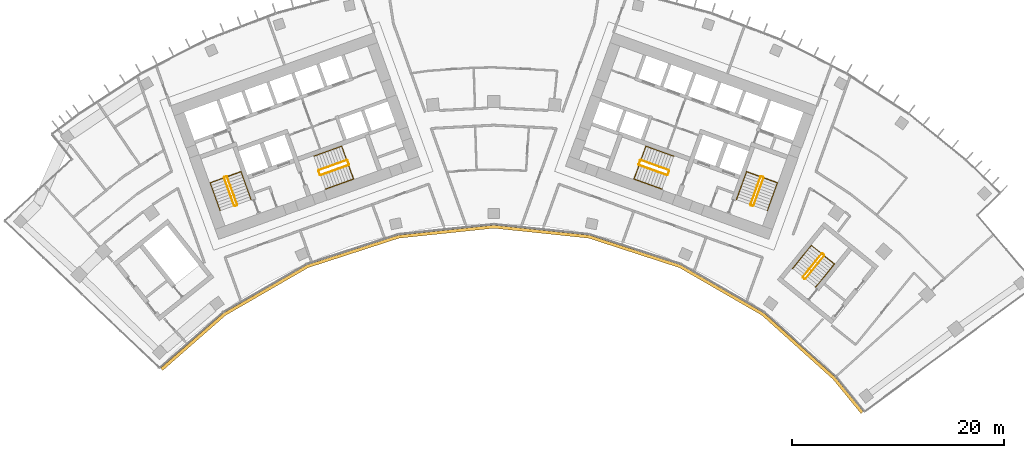
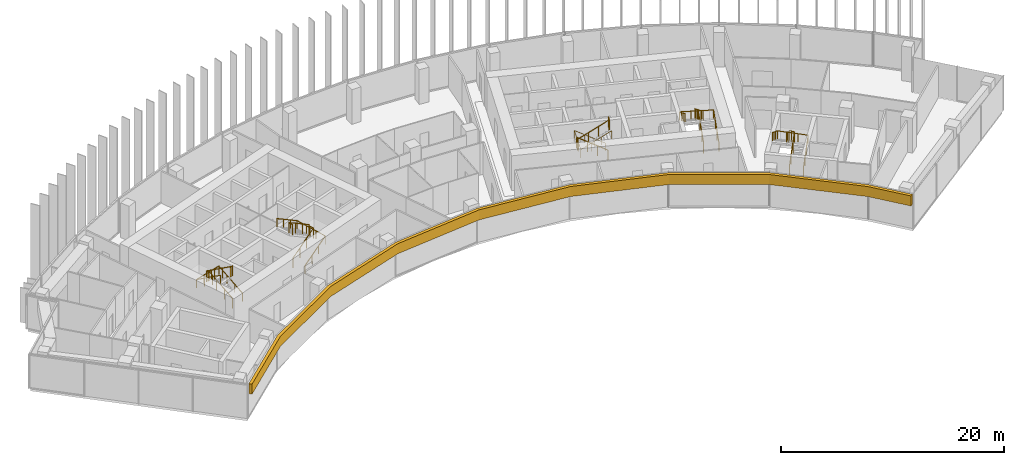
# One storey, part 20 of 20: 15 railings, 1 covering.
"""IFC4 building model written with IfcOpenShell, lengths in metres."""

from ifc_helpers import new_model, si_unit, direction, frame, origin, origin_2d, place, context, subcontext, project, spatial, polyline, circle, outline, extrude, material, layer, layer_set, type_object, element, save


model = new_model("IFC4")

# Units and contexts
model_context = context("Model", 3, precision=1e-05, world=origin(), true_north=direction((0.0, 1.0)))
body_context = subcontext(model_context, "Body", "Model", "MODEL_VIEW")
ifc_project = project(units=[si_unit("LENGTHUNIT", "METRE"), si_unit("AREAUNIT", "SQUARE_METRE"), si_unit("VOLUMEUNIT", "CUBIC_METRE"), si_unit("PLANEANGLEUNIT", "RADIAN"), si_unit("MASSUNIT", "GRAM", prefix="KILO")], contexts=[model_context])

# Site, building, storey
site_placement = place(None, origin())
site = spatial("IfcSite", under=ifc_project, at=site_placement, CompositionType="ELEMENT")
building_placement = place(site_placement, origin())
building = spatial("IfcBuilding", under=site, at=building_placement, Name="Stone Belt Terrace Tower", CompositionType="ELEMENT")
storey_placement = place(building_placement, frame((0.0, 0.0, 212.39990234375)))
storey = spatial("IfcBuildingStorey", under=building, at=storey_placement, Name="L51", CompositionType="ELEMENT", Elevation=212.39990234375)

# Railings
ifc_material_1 = material(Name="Structural steel C345", Category="steel")
railing_type_1 = type_object("IfcRailingType", Name="Stair guard 1100", PredefinedType="GUARDRAIL", material=ifc_material_1)
railing_1_placement = place(storey_placement, frame((-24.2119140625, 45.276123046875, 0.1728515625)))
element("IfcRailing", 1, at=railing_1_placement, inside=storey, type_object=railing_type_1, Name="L51 ST1A stair guard 1", PredefinedType="GUARDRAIL", context=body_context, shape_type="SweptSolid", body=[
    extrude(circle(Radius=0.02392578125, at=origin_2d()), frame((0.0, 0.0, 1.076171875), z_axis=(-0.288228637646, 0.800791768495, 0.525030280985), x_axis=(-0.940908529223, -0.338660803216, 0.0)), (0.0, 0.0, 1.0), 3.289794921875),
    extrude(circle(Radius=0.02392578125, at=origin_2d()), frame((-0.9482421875, 2.634521484375, 2.80322265625), z_axis=(-0.905209821074, 0.424964916, 0.0), x_axis=(-0.424964916, -0.905209821074, 0.0)), (0.0, 0.0, 1.0), 0.070556640625),
    extrude(circle(Radius=0.02392578125, at=origin_2d()), frame((-1.01220703125, 2.66455078125, 2.80322265625), z_axis=(-0.941105063269, -0.338114270461, 0.0), x_axis=(0.338114270461, -0.941105063269, 0.0)), (0.0, 0.0, 1.0), 0.199951171875),
    extrude(circle(Radius=0.02099609375, at=origin_2d()), origin(), (0.0, 0.0, 1.0), 1.052001953125),
    extrude(circle(Radius=0.02099609375, at=origin_2d()), frame((-0.316162109375, 0.878173828125, 0.57568359375)), (0.0, 0.0, 1.0), 1.052001953125),
    extrude(circle(Radius=0.02099609375, at=origin_2d()), frame((-0.632080078125, 1.75634765625, 1.151611328125)), (0.0, 0.0, 1.0), 1.052001953125),
    extrude(circle(Radius=0.02099609375, at=origin_2d()), frame((-0.9482421875, 2.634521484375, 1.727294921875)), (0.0, 0.0, 1.0), 1.052001953125),
    extrude(circle(Radius=0.02099609375, at=origin_2d()), frame((-1.01220703125, 2.66455078125, 1.727294921875)), (0.0, 0.0, 1.0), 1.052001953125),
    extrude(circle(Radius=0.02099609375, at=origin_2d()), frame((-1.200439453125, 2.596923828125, 1.727294921875)), (0.0, 0.0, 1.0), 1.052001953125),
])
railing_2_placement = place(storey_placement, frame((-25.4423828125, 47.80908203125, 2.07275390625)))
element("IfcRailing", 2, at=railing_2_placement, inside=storey, type_object=railing_type_1, Name="L51 ST1A stair guard 2", PredefinedType="GUARDRAIL", context=body_context, shape_type="SweptSolid", body=[
    extrude(circle(Radius=0.02392578125, at=origin_2d()), frame((0.0, 0.0, 1.076171875), z_axis=(0.288228637646, -0.800791768495, 0.525030280985), x_axis=(0.940908529223, 0.338660803216, 0.0)), (0.0, 0.0, 1.0), 3.289794921875),
    extrude(circle(Radius=0.02392578125, at=origin_2d()), frame((0.9482421875, -2.634521484375, 2.80322265625), z_axis=(0.903878284585, -0.427789722475, 0.0), x_axis=(0.427789722475, 0.903878284585, 0.0)), (0.0, 0.0, 1.0), 0.07080078125),
    extrude(circle(Radius=0.02392578125, at=origin_2d()), frame((1.01220703125, -2.664794921875, 2.80322265625), z_axis=(0.940575576748, 0.339584429008, 0.0), x_axis=(-0.339584429008, 0.940575576748, 0.0)), (0.0, 0.0, 1.0), 0.199951171875),
    extrude(circle(Radius=0.02099609375, at=origin_2d()), origin(), (0.0, 0.0, 1.0), 1.052001953125),
    extrude(circle(Radius=0.02099609375, at=origin_2d()), frame((0.316162109375, -0.878173828125, 0.57568359375)), (0.0, 0.0, 1.0), 1.052001953125),
    extrude(circle(Radius=0.02099609375, at=origin_2d()), frame((0.632080078125, -1.75634765625, 1.151611328125)), (0.0, 0.0, 1.0), 1.052001953125),
    extrude(circle(Radius=0.02099609375, at=origin_2d()), frame((0.9482421875, -2.634521484375, 1.727294921875)), (0.0, 0.0, 1.0), 1.052001953125),
    extrude(circle(Radius=0.02099609375, at=origin_2d()), frame((1.01220703125, -2.664794921875, 1.727294921875)), (0.0, 0.0, 1.0), 1.052001953125),
    extrude(circle(Radius=0.02099609375, at=origin_2d()), frame((1.2001953125, -2.596923828125, 1.727294921875)), (0.0, 0.0, 1.0), 1.052001953125),
])
railing_3_placement = place(storey_placement, frame((-16.33837890625, 48.056640625, 0.1728515625)))
element("IfcRailing", 3, at=railing_3_placement, inside=storey, type_object=railing_type_1, Name="L51 ST2A stair guard 1", PredefinedType="GUARDRAIL", context=body_context, shape_type="SweptSolid", body=[
    extrude(circle(Radius=0.02392578125, at=origin_2d()), frame((0.0, 0.0, 1.076171875), z_axis=(0.800808895155, 0.288160591223, 0.52504150989), x_axis=(-0.338583606334, 0.940936311087, 0.0)), (0.0, 0.0, 1.0), 3.289794921875),
    extrude(circle(Radius=0.02392578125, at=origin_2d()), frame((2.634521484375, 0.947998046875, 2.80322265625), z_axis=(0.427789722475, 0.903878284585, 0.0), x_axis=(-0.903878284585, 0.427789722475, 0.0)), (0.0, 0.0, 1.0), 0.07080078125),
    extrude(circle(Radius=0.02392578125, at=origin_2d()), frame((2.664794921875, 1.011962890625, 2.80322265625), z_axis=(-0.338654645739, 0.940910745459, 0.0), x_axis=(-0.940910745459, -0.338654645739, 0.0)), (0.0, 0.0, 1.0), 0.400146484375),
    extrude(circle(Radius=0.02099609375, at=origin_2d()), origin(), (0.0, 0.0, 1.0), 1.052001953125),
    extrude(circle(Radius=0.02099609375, at=origin_2d()), frame((0.878173828125, 0.31591796875, 0.57568359375)), (0.0, 0.0, 1.0), 1.052001953125),
    extrude(circle(Radius=0.02099609375, at=origin_2d()), frame((1.75634765625, 0.632080078125, 1.151611328125)), (0.0, 0.0, 1.0), 1.052001953125),
    extrude(circle(Radius=0.02099609375, at=origin_2d()), frame((2.634521484375, 0.947998046875, 1.727294921875)), (0.0, 0.0, 1.0), 1.052001953125),
    extrude(circle(Radius=0.02099609375, at=origin_2d()), frame((2.664794921875, 1.011962890625, 1.727294921875)), (0.0, 0.0, 1.0), 1.052001953125),
    extrude(circle(Radius=0.02099609375, at=origin_2d()), frame((2.529296875, 1.388427734375, 1.727294921875)), (0.0, 0.0, 1.0), 1.052001953125),
])
railing_4_placement = place(storey_placement, frame((-13.873046875, 49.47509765625, 2.07275390625)))
element("IfcRailing", 4, at=railing_4_placement, inside=storey, type_object=railing_type_1, Name="L51 ST2A stair guard 2", PredefinedType="GUARDRAIL", context=body_context, shape_type="SweptSolid", body=[
    extrude(circle(Radius=0.02392578125, at=origin_2d()), frame((0.0, 0.0, 1.076171875), z_axis=(-0.800808895155, -0.288160591223, 0.52504150989), x_axis=(0.338583606334, -0.940936311087, 0.0)), (0.0, 0.0, 1.0), 3.289794921875),
    extrude(circle(Radius=0.02392578125, at=origin_2d()), frame((-2.634521484375, -0.947998046875, 2.80322265625), z_axis=(-0.427789722475, -0.903878284585, 0.0), x_axis=(0.903878284585, -0.427789722475, 0.0)), (0.0, 0.0, 1.0), 0.07080078125),
    extrude(circle(Radius=0.02392578125, at=origin_2d()), frame((-2.664794921875, -1.011962890625, 2.80322265625), z_axis=(0.338654645739, -0.940910745459, 0.0), x_axis=(0.940910745459, 0.338654645739, 0.0)), (0.0, 0.0, 1.0), 0.400146484375),
    extrude(circle(Radius=0.02099609375, at=origin_2d()), origin(), (0.0, 0.0, 1.0), 1.052001953125),
    extrude(circle(Radius=0.02099609375, at=origin_2d()), frame((-0.878173828125, -0.31591796875, 0.57568359375)), (0.0, 0.0, 1.0), 1.052001953125),
    extrude(circle(Radius=0.02099609375, at=origin_2d()), frame((-1.75634765625, -0.632080078125, 1.151611328125)), (0.0, 0.0, 1.0), 1.052001953125),
    extrude(circle(Radius=0.02099609375, at=origin_2d()), frame((-2.634521484375, -0.947998046875, 1.727294921875)), (0.0, 0.0, 1.0), 1.052001953125),
    extrude(circle(Radius=0.02099609375, at=origin_2d()), frame((-2.664794921875, -1.011962890625, 1.727294921875)), (0.0, 0.0, 1.0), 1.052001953125),
    extrude(circle(Radius=0.02099609375, at=origin_2d()), frame((-2.529296875, -1.388427734375, 1.727294921875)), (0.0, 0.0, 1.0), 1.052001953125),
])
railing_5_placement = place(storey_placement, frame((24.494140625, 45.174560546875, 0.1728515625)))
element("IfcRailing", 5, at=railing_5_placement, inside=storey, type_object=railing_type_1, Name="L51 ST1B stair guard 1", PredefinedType="GUARDRAIL", context=body_context, shape_type="SweptSolid", body=[
    extrude(circle(Radius=0.02392578125, at=origin_2d()), frame((0.0, 0.0, 1.076171875), z_axis=(0.288228637646, 0.800791768495, 0.525030280985), x_axis=(-0.940908529223, 0.338660803216, 0.0)), (0.0, 0.0, 1.0), 3.289794921875),
    extrude(circle(Radius=0.02392578125, at=origin_2d()), frame((0.9482421875, 2.634521484375, 2.80322265625), z_axis=(-0.424964916, 0.905209821074, 0.0), x_axis=(-0.905209821074, -0.424964916, 0.0)), (0.0, 0.0, 1.0), 0.070556640625),
    extrude(circle(Radius=0.02392578125, at=origin_2d()), frame((0.918212890625, 2.698486328125, 2.80322265625), z_axis=(-0.941105063269, 0.338114270461, 0.0), x_axis=(-0.338114270461, -0.941105063269, 0.0)), (0.0, 0.0, 1.0), 0.199951171875),
    extrude(circle(Radius=0.02099609375, at=origin_2d()), origin(), (0.0, 0.0, 1.0), 1.052001953125),
    extrude(circle(Radius=0.02099609375, at=origin_2d()), frame((0.316162109375, 0.878173828125, 0.57568359375)), (0.0, 0.0, 1.0), 1.052001953125),
    extrude(circle(Radius=0.02099609375, at=origin_2d()), frame((0.632080078125, 1.75634765625, 1.151611328125)), (0.0, 0.0, 1.0), 1.052001953125),
    extrude(circle(Radius=0.02099609375, at=origin_2d()), frame((0.9482421875, 2.634521484375, 1.727294921875)), (0.0, 0.0, 1.0), 1.052001953125),
    extrude(circle(Radius=0.02099609375, at=origin_2d()), frame((0.918212890625, 2.698486328125, 1.727294921875)), (0.0, 0.0, 1.0), 1.052001953125),
    extrude(circle(Radius=0.02099609375, at=origin_2d()), frame((0.72998046875, 2.76611328125, 1.727294921875)), (0.0, 0.0, 1.0), 1.052001953125),
])
railing_6_placement = place(storey_placement, frame((25.16015625, 47.91064453125, 2.07275390625)))
element("IfcRailing", 6, at=railing_6_placement, inside=storey, type_object=railing_type_1, Name="L51 ST1B stair guard 2", PredefinedType="GUARDRAIL", context=body_context, shape_type="SweptSolid", body=[
    extrude(circle(Radius=0.02392578125, at=origin_2d()), frame((0.0, 0.0, 1.076171875), z_axis=(-0.288228637646, -0.800791768495, 0.525030280985), x_axis=(0.940908529223, -0.338660803216, 0.0)), (0.0, 0.0, 1.0), 3.289794921875),
    extrude(circle(Radius=0.02392578125, at=origin_2d()), frame((-0.9482421875, -2.634521484375, 2.80322265625), z_axis=(0.427789722475, -0.903878284585, 0.0), x_axis=(0.903878284585, 0.427789722475, 0.0)), (0.0, 0.0, 1.0), 0.07080078125),
    extrude(circle(Radius=0.02392578125, at=origin_2d()), frame((-0.91796875, -2.698486328125, 2.80322265625), z_axis=(0.940575576748, -0.339584429008, 0.0), x_axis=(0.339584429008, 0.940575576748, 0.0)), (0.0, 0.0, 1.0), 0.199951171875),
    extrude(circle(Radius=0.02099609375, at=origin_2d()), origin(), (0.0, 0.0, 1.0), 1.052001953125),
    extrude(circle(Radius=0.02099609375, at=origin_2d()), frame((-0.316162109375, -0.878173828125, 0.57568359375)), (0.0, 0.0, 1.0), 1.052001953125),
    extrude(circle(Radius=0.02099609375, at=origin_2d()), frame((-0.632080078125, -1.75634765625, 1.151611328125)), (0.0, 0.0, 1.0), 1.052001953125),
    extrude(circle(Radius=0.02099609375, at=origin_2d()), frame((-0.9482421875, -2.634521484375, 1.727294921875)), (0.0, 0.0, 1.0), 1.052001953125),
    extrude(circle(Radius=0.02099609375, at=origin_2d()), frame((-0.91796875, -2.698486328125, 1.727294921875)), (0.0, 0.0, 1.0), 1.052001953125),
    extrude(circle(Radius=0.02099609375, at=origin_2d()), frame((-0.72998046875, -2.766357421875, 1.727294921875)), (0.0, 0.0, 1.0), 1.052001953125),
])
railing_7_placement = place(storey_placement, frame((16.507568359375, 48.527099609375, 0.1728515625)))
element("IfcRailing", 7, at=railing_7_placement, inside=storey, type_object=railing_type_1, Name="L51 ST2B stair guard 1", PredefinedType="GUARDRAIL", context=body_context, shape_type="SweptSolid", body=[
    extrude(circle(Radius=0.02392578125, at=origin_2d()), frame((0.0, 0.0, 1.076171875), z_axis=(-0.800808895155, 0.288160591223, 0.52504150989), x_axis=(-0.338583606334, -0.940936311087, 0.0)), (0.0, 0.0, 1.0), 3.289794921875),
    extrude(circle(Radius=0.02392578125, at=origin_2d()), frame((-2.634521484375, 0.947998046875, 2.80322265625), z_axis=(-0.905209821074, -0.424964916, 0.0), x_axis=(0.424964916, -0.905209821074, 0.0)), (0.0, 0.0, 1.0), 0.070556640625),
    extrude(circle(Radius=0.02392578125, at=origin_2d()), frame((-2.698486328125, 0.91796875, 2.80322265625), z_axis=(-0.338654645739, -0.940910745459, 0.0), x_axis=(0.940910745459, -0.338654645739, 0.0)), (0.0, 0.0, 1.0), 0.400146484375),
    extrude(circle(Radius=0.02099609375, at=origin_2d()), origin(), (0.0, 0.0, 1.0), 1.052001953125),
    extrude(circle(Radius=0.02099609375, at=origin_2d()), frame((-0.878173828125, 0.31591796875, 0.57568359375)), (0.0, 0.0, 1.0), 1.052001953125),
    extrude(circle(Radius=0.02099609375, at=origin_2d()), frame((-1.75634765625, 0.632080078125, 1.151611328125)), (0.0, 0.0, 1.0), 1.052001953125),
    extrude(circle(Radius=0.02099609375, at=origin_2d()), frame((-2.634521484375, 0.947998046875, 1.727294921875)), (0.0, 0.0, 1.0), 1.052001953125),
    extrude(circle(Radius=0.02099609375, at=origin_2d()), frame((-2.698486328125, 0.91796875, 1.727294921875)), (0.0, 0.0, 1.0), 1.052001953125),
    extrude(circle(Radius=0.02099609375, at=origin_2d()), frame((-2.833984375, 0.54150390625, 1.727294921875)), (0.0, 0.0, 1.0), 1.052001953125),
])
railing_8_placement = place(storey_placement, frame((13.703857421875, 49.004638671875, 2.07275390625)))
element("IfcRailing", 8, at=railing_8_placement, inside=storey, type_object=railing_type_1, Name="L51 ST2B stair guard 2", PredefinedType="GUARDRAIL", context=body_context, shape_type="SweptSolid", body=[
    extrude(circle(Radius=0.02392578125, at=origin_2d()), frame((0.0, 0.0, 1.076171875), z_axis=(0.800808895155, -0.288160591223, 0.52504150989), x_axis=(0.338583606334, 0.940936311087, 0.0)), (0.0, 0.0, 1.0), 3.289794921875),
    extrude(circle(Radius=0.02392578125, at=origin_2d()), frame((2.634521484375, -0.947998046875, 2.80322265625), z_axis=(0.905209821074, 0.424964916, 0.0), x_axis=(-0.424964916, 0.905209821074, 0.0)), (0.0, 0.0, 1.0), 0.070556640625),
    extrude(circle(Radius=0.02392578125, at=origin_2d()), frame((2.698486328125, -0.91796875, 2.80322265625), z_axis=(0.338654645739, 0.940910745459, 0.0), x_axis=(-0.940910745459, 0.338654645739, 0.0)), (0.0, 0.0, 1.0), 0.400146484375),
    extrude(circle(Radius=0.02099609375, at=origin_2d()), origin(), (0.0, 0.0, 1.0), 1.052001953125),
    extrude(circle(Radius=0.02099609375, at=origin_2d()), frame((0.878173828125, -0.31591796875, 0.57568359375)), (0.0, 0.0, 1.0), 1.052001953125),
    extrude(circle(Radius=0.02099609375, at=origin_2d()), frame((1.75634765625, -0.632080078125, 1.151611328125)), (0.0, 0.0, 1.0), 1.052001953125),
    extrude(circle(Radius=0.02099609375, at=origin_2d()), frame((2.634521484375, -0.947998046875, 1.727294921875)), (0.0, 0.0, 1.0), 1.052001953125),
    extrude(circle(Radius=0.02099609375, at=origin_2d()), frame((2.698486328125, -0.91796875, 1.727294921875)), (0.0, 0.0, 1.0), 1.052001953125),
    extrude(circle(Radius=0.02099609375, at=origin_2d()), frame((2.833984375, -0.54150390625, 1.727294921875)), (0.0, 0.0, 1.0), 1.052001953125),
])
railing_9_placement = place(storey_placement, frame((29.39794921875, 38.281982421875, 0.1728515625)))
element("IfcRailing", 9, at=railing_9_placement, inside=storey, type_object=railing_type_1, Name="L51 ST3B stair guard 1", PredefinedType="GUARDRAIL", context=body_context, shape_type="SweptSolid", body=[
    extrude(circle(Radius=0.02392578125, at=origin_2d()), frame((0.0, 0.0, 1.076171875), z_axis=(0.536393061503, 0.660769759217, 0.525038864158), x_axis=(-0.776391310223, 0.630251166924, 0.0)), (0.0, 0.0, 1.0), 3.289794921875),
    extrude(circle(Radius=0.02392578125, at=origin_2d()), frame((1.7646484375, 2.173828125, 2.80322265625), z_axis=(-0.103251414163, 0.994655289773, 0.0), x_axis=(-0.994655289773, -0.103251414163, 0.0)), (0.0, 0.0, 1.0), 0.071044921875),
    extrude(circle(Radius=0.02392578125, at=origin_2d()), frame((1.75732421875, 2.244384765625, 2.80322265625), z_axis=(-0.776561986372, 0.630040856868, 0.0), x_axis=(-0.630040856868, -0.776561986372, 0.0)), (0.0, 0.0, 1.0), 0.199951171875),
    extrude(circle(Radius=0.02099609375, at=origin_2d()), origin(), (0.0, 0.0, 1.0), 1.052001953125),
    extrude(circle(Radius=0.02099609375, at=origin_2d()), frame((0.588134765625, 0.724609375, 0.57568359375)), (0.0, 0.0, 1.0), 1.052001953125),
    extrude(circle(Radius=0.02099609375, at=origin_2d()), frame((1.176513671875, 1.44921875, 1.151611328125)), (0.0, 0.0, 1.0), 1.052001953125),
    extrude(circle(Radius=0.02099609375, at=origin_2d()), frame((1.7646484375, 2.173828125, 1.727294921875)), (0.0, 0.0, 1.0), 1.052001953125),
    extrude(circle(Radius=0.02099609375, at=origin_2d()), frame((1.75732421875, 2.244384765625, 1.727294921875)), (0.0, 0.0, 1.0), 1.052001953125),
    extrude(circle(Radius=0.02099609375, at=origin_2d()), frame((1.60205078125, 2.370361328125, 1.727294921875)), (0.0, 0.0, 1.0), 1.052001953125),
])
railing_10_placement = place(storey_placement, frame((30.9296875, 40.64501953125, 2.07275390625)))
element("IfcRailing", 10, at=railing_10_placement, inside=storey, type_object=railing_type_1, Name="L51 ST3B stair guard 2", PredefinedType="GUARDRAIL", context=body_context, shape_type="SweptSolid", body=[
    extrude(circle(Radius=0.02392578125, at=origin_2d()), frame((0.0, 0.0, 1.076171875), z_axis=(-0.536366759382, -0.660811565066, 0.525013118792), x_axis=(0.776425942316, -0.630208502084, 0.0)), (0.0, 0.0, 1.0), 3.2900390625),
    extrude(circle(Radius=0.02392578125, at=origin_2d()), frame((-1.7646484375, -2.174072265625, 2.80322265625), z_axis=(0.103606084259, -0.994618408891, 0.0), x_axis=(0.994618408891, 0.103606084259, 0.0)), (0.0, 0.0, 1.0), 0.07080078125),
    extrude(circle(Radius=0.02392578125, at=origin_2d()), frame((-1.75732421875, -2.244384765625, 2.80322265625), z_axis=(0.776561986372, -0.630040856868, 0.0), x_axis=(0.630040856868, 0.776561986372, 0.0)), (0.0, 0.0, 1.0), 0.199951171875),
    extrude(circle(Radius=0.02099609375, at=origin_2d()), origin(), (0.0, 0.0, 1.0), 1.052001953125),
    extrude(circle(Radius=0.02099609375, at=origin_2d()), frame((-0.588134765625, -0.724609375, 0.57568359375)), (0.0, 0.0, 1.0), 1.052001953125),
    extrude(circle(Radius=0.02099609375, at=origin_2d()), frame((-1.176513671875, -1.449462890625, 1.151611328125)), (0.0, 0.0, 1.0), 1.052001953125),
    extrude(circle(Radius=0.02099609375, at=origin_2d()), frame((-1.7646484375, -2.174072265625, 1.727294921875)), (0.0, 0.0, 1.0), 1.052001953125),
    extrude(circle(Radius=0.02099609375, at=origin_2d()), frame((-1.75732421875, -2.244384765625, 1.727294921875)), (0.0, 0.0, 1.0), 1.052001953125),
    extrude(circle(Radius=0.02099609375, at=origin_2d()), frame((-1.60205078125, -2.370361328125, 1.727294921875)), (0.0, 0.0, 1.0), 1.052001953125),
])
railing_type_2 = type_object("IfcRailingType", Name="Stair handrail 900", PredefinedType="HANDRAIL", material=ifc_material_1)
railing_11_placement = place(storey_placement, frame((-22.894775390625, 45.750244140625, 0.1728515625)))
element("IfcRailing", 11, at=railing_11_placement, inside=storey, type_object=railing_type_2, Name="L51 ST1A stair handrail 1", PredefinedType="HANDRAIL", context=body_context, shape_type="SweptSolid", body=[
    extrude(circle(Radius=0.02392578125, at=origin_2d()), frame((0.0, 0.0, 0.8759765625), z_axis=(-0.288160591223, 0.800808895155, 0.52504150989), x_axis=(-0.940936311087, -0.338583606334, 0.0)), (0.0, 0.0, 1.0), 3.289794921875),
    extrude(circle(Radius=0.02392578125, at=origin_2d()), frame((-0.947998046875, 2.634521484375, 2.60302734375), z_axis=(-0.939464517435, -0.338106580597, 0.055591012205), x_axis=(0.338630230244, -0.940919532779, 0.0)), (0.0, 0.0, 1.0), 3.10498046875),
    extrude(circle(Radius=0.02392578125, at=origin_2d()), frame((-3.864990234375, 1.584716796875, 2.77587890625), z_axis=(0.288228637646, -0.800791768495, 0.525030280985), x_axis=(0.940908529223, 0.338660803216, 0.0)), (0.0, 0.0, 1.0), 3.289794921875),
    extrude(circle(Radius=0.02099609375, at=origin_2d()), origin(), (0.0, 0.0, 1.0), 0.851806640625),
    extrude(circle(Radius=0.02099609375, at=origin_2d()), frame((-0.31591796875, 0.878173828125, 0.57568359375)), (0.0, 0.0, 1.0), 0.851806640625),
    extrude(circle(Radius=0.02099609375, at=origin_2d()), frame((-0.632080078125, 1.75634765625, 1.151611328125)), (0.0, 0.0, 1.0), 0.851806640625),
    extrude(circle(Radius=0.02099609375, at=origin_2d()), frame((-0.947998046875, 2.634521484375, 1.727294921875)), (0.0, 0.0, 1.0), 0.851806640625),
    extrude(circle(Radius=0.02099609375, at=origin_2d()), frame((-1.92041015625, 2.28466796875, 1.784912109375)), (0.0, 0.0, 1.0), 0.851806640625),
    extrude(circle(Radius=0.02099609375, at=origin_2d()), frame((-2.892578125, 1.9345703125, 1.84228515625)), (0.0, 0.0, 1.0), 0.851806640625),
    extrude(circle(Radius=0.02099609375, at=origin_2d()), frame((-3.864990234375, 1.584716796875, 1.89990234375)), (0.0, 0.0, 1.0), 0.851806640625),
    extrude(circle(Radius=0.02099609375, at=origin_2d()), frame((-3.548828125, 0.70654296875, 2.4755859375)), (0.0, 0.0, 1.0), 0.851806640625),
    extrude(circle(Radius=0.02099609375, at=origin_2d()), frame((-3.23291015625, -0.171630859375, 3.051513671875)), (0.0, 0.0, 1.0), 0.851806640625),
    extrude(circle(Radius=0.02099609375, at=origin_2d()), frame((-2.916748046875, -1.0498046875, 3.627197265625)), (0.0, 0.0, 1.0), 0.851806640625),
])
railing_12_placement = place(storey_placement, frame((-15.8642578125, 46.7392578125, 0.1728515625)))
element("IfcRailing", 12, at=railing_12_placement, inside=storey, type_object=railing_type_2, Name="L51 ST2A stair handrail 1", PredefinedType="HANDRAIL", context=body_context, shape_type="SweptSolid", body=[
    extrude(circle(Radius=0.02392578125, at=origin_2d()), frame((0.0, 0.0, 0.8759765625), z_axis=(0.800791768495, 0.288228637646, 0.525030280985), x_axis=(-0.338660803216, 0.940908529223, 0.0)), (0.0, 0.0, 1.0), 3.289794921875),
    extrude(circle(Radius=0.02392578125, at=origin_2d()), frame((2.634521484375, 0.9482421875, 2.60302734375), z_axis=(-0.338160254016, 0.939637778147, 0.052234935458), x_axis=(-0.940922302781, -0.338622533404, 0.0)), (0.0, 0.0, 1.0), 3.304443359375),
    extrude(circle(Radius=0.02392578125, at=origin_2d()), frame((1.51708984375, 4.05322265625, 2.77587890625), z_axis=(-0.800791768495, -0.288228637646, 0.525030280985), x_axis=(0.338660803216, -0.940908529223, 0.0)), (0.0, 0.0, 1.0), 3.289794921875),
    extrude(circle(Radius=0.02099609375, at=origin_2d()), origin(), (0.0, 0.0, 1.0), 0.851806640625),
    extrude(circle(Radius=0.02099609375, at=origin_2d()), frame((0.878173828125, 0.316162109375, 0.57568359375)), (0.0, 0.0, 1.0), 0.851806640625),
    extrude(circle(Radius=0.02099609375, at=origin_2d()), frame((1.75634765625, 0.632080078125, 1.151611328125)), (0.0, 0.0, 1.0), 0.851806640625),
    extrude(circle(Radius=0.02099609375, at=origin_2d()), frame((2.634521484375, 0.9482421875, 1.727294921875)), (0.0, 0.0, 1.0), 0.851806640625),
    extrude(circle(Radius=0.02099609375, at=origin_2d()), frame((2.261962890625, 1.983154296875, 1.784912109375)), (0.0, 0.0, 1.0), 0.851806640625),
    extrude(circle(Radius=0.02099609375, at=origin_2d()), frame((1.8896484375, 3.018310546875, 1.84228515625)), (0.0, 0.0, 1.0), 0.851806640625),
    extrude(circle(Radius=0.02099609375, at=origin_2d()), frame((1.51708984375, 4.05322265625, 1.89990234375)), (0.0, 0.0, 1.0), 0.851806640625),
    extrude(circle(Radius=0.02099609375, at=origin_2d()), frame((0.638916015625, 3.737060546875, 2.4755859375)), (0.0, 0.0, 1.0), 0.851806640625),
    extrude(circle(Radius=0.02099609375, at=origin_2d()), frame((-0.2392578125, 3.421142578125, 3.051513671875)), (0.0, 0.0, 1.0), 0.851806640625),
    extrude(circle(Radius=0.02099609375, at=origin_2d()), frame((-1.117431640625, 3.10498046875, 3.627197265625)), (0.0, 0.0, 1.0), 0.851806640625),
])
railing_13_placement = place(storey_placement, frame((25.8115234375, 44.700439453125, 0.1728515625)))
element("IfcRailing", 13, at=railing_13_placement, inside=storey, type_object=railing_type_2, Name="L51 ST1B stair handrail 1", PredefinedType="HANDRAIL", context=body_context, shape_type="SweptSolid", body=[
    extrude(circle(Radius=0.02392578125, at=origin_2d()), frame((0.0, 0.0, 0.8759765625), z_axis=(0.288228637646, 0.800791768495, 0.525030280985), x_axis=(-0.940908529223, 0.338660803216, 0.0)), (0.0, 0.0, 1.0), 3.289794921875),
    extrude(circle(Radius=0.02392578125, at=origin_2d()), frame((0.9482421875, 2.634521484375, 2.60302734375), z_axis=(-0.939464517435, 0.338106580597, 0.055591012205), x_axis=(-0.338630230244, -0.940919532779, 0.0)), (0.0, 0.0, 1.0), 3.10498046875),
    extrude(circle(Radius=0.02392578125, at=origin_2d()), frame((-1.96875, 3.684326171875, 2.77587890625), z_axis=(-0.288160591223, -0.800808895155, 0.52504150989), x_axis=(0.940936311087, -0.338583606334, 0.0)), (0.0, 0.0, 1.0), 3.289794921875),
    extrude(circle(Radius=0.02099609375, at=origin_2d()), origin(), (0.0, 0.0, 1.0), 0.851806640625),
    extrude(circle(Radius=0.02099609375, at=origin_2d()), frame((0.316162109375, 0.878173828125, 0.57568359375)), (0.0, 0.0, 1.0), 0.851806640625),
    extrude(circle(Radius=0.02099609375, at=origin_2d()), frame((0.632080078125, 1.75634765625, 1.151611328125)), (0.0, 0.0, 1.0), 0.851806640625),
    extrude(circle(Radius=0.02099609375, at=origin_2d()), frame((0.9482421875, 2.634521484375, 1.727294921875)), (0.0, 0.0, 1.0), 0.851806640625),
    extrude(circle(Radius=0.02099609375, at=origin_2d()), frame((-0.024169921875, 2.984375, 1.784912109375)), (0.0, 0.0, 1.0), 0.851806640625),
    extrude(circle(Radius=0.02099609375, at=origin_2d()), frame((-0.996337890625, 3.33447265625, 1.84228515625)), (0.0, 0.0, 1.0), 0.851806640625),
    extrude(circle(Radius=0.02099609375, at=origin_2d()), frame((-1.96875, 3.684326171875, 1.89990234375)), (0.0, 0.0, 1.0), 0.851806640625),
    extrude(circle(Radius=0.02099609375, at=origin_2d()), frame((-2.28466796875, 2.80615234375, 2.4755859375)), (0.0, 0.0, 1.0), 0.851806640625),
    extrude(circle(Radius=0.02099609375, at=origin_2d()), frame((-2.600830078125, 1.927978515625, 3.051513671875)), (0.0, 0.0, 1.0), 0.851806640625),
    extrude(circle(Radius=0.02099609375, at=origin_2d()), frame((-2.916748046875, 1.0498046875, 3.627197265625)), (0.0, 0.0, 1.0), 0.851806640625),
])
railing_14_placement = place(storey_placement, frame((16.981689453125, 49.84423828125, 0.1728515625)))
element("IfcRailing", 14, at=railing_14_placement, inside=storey, type_object=railing_type_2, Name="L51 ST2B stair handrail 1", PredefinedType="HANDRAIL", context=body_context, shape_type="SweptSolid", body=[
    extrude(circle(Radius=0.02392578125, at=origin_2d()), frame((0.0, 0.0, 0.8759765625), z_axis=(-0.800791768495, 0.288228637646, 0.525030280985), x_axis=(-0.338660803216, -0.940908529223, 0.0)), (0.0, 0.0, 1.0), 3.289794921875),
    extrude(circle(Radius=0.02392578125, at=origin_2d()), frame((-2.634521484375, 0.9482421875, 2.60302734375), z_axis=(-0.338160254016, -0.939637778147, 0.052234935458), x_axis=(0.940922302781, -0.338622533404, 0.0)), (0.0, 0.0, 1.0), 3.304443359375),
    extrude(circle(Radius=0.02392578125, at=origin_2d()), frame((-3.751953125, -2.15673828125, 2.77587890625), z_axis=(0.800791768495, -0.288228637646, 0.525030280985), x_axis=(0.338660803216, 0.940908529223, 0.0)), (0.0, 0.0, 1.0), 3.289794921875),
    extrude(circle(Radius=0.02099609375, at=origin_2d()), origin(), (0.0, 0.0, 1.0), 0.851806640625),
    extrude(circle(Radius=0.02099609375, at=origin_2d()), frame((-0.878173828125, 0.316162109375, 0.57568359375)), (0.0, 0.0, 1.0), 0.851806640625),
    extrude(circle(Radius=0.02099609375, at=origin_2d()), frame((-1.75634765625, 0.632080078125, 1.151611328125)), (0.0, 0.0, 1.0), 0.851806640625),
    extrude(circle(Radius=0.02099609375, at=origin_2d()), frame((-2.634521484375, 0.9482421875, 1.727294921875)), (0.0, 0.0, 1.0), 0.851806640625),
    extrude(circle(Radius=0.02099609375, at=origin_2d()), frame((-3.007080078125, -0.086669921875, 1.784912109375)), (0.0, 0.0, 1.0), 0.851806640625),
    extrude(circle(Radius=0.02099609375, at=origin_2d()), frame((-3.37939453125, -1.121826171875, 1.84228515625)), (0.0, 0.0, 1.0), 0.851806640625),
    extrude(circle(Radius=0.02099609375, at=origin_2d()), frame((-3.751953125, -2.15673828125, 1.89990234375)), (0.0, 0.0, 1.0), 0.851806640625),
    extrude(circle(Radius=0.02099609375, at=origin_2d()), frame((-2.873779296875, -2.472900390625, 2.4755859375)), (0.0, 0.0, 1.0), 0.851806640625),
    extrude(circle(Radius=0.02099609375, at=origin_2d()), frame((-1.99560546875, -2.788818359375, 3.051513671875)), (0.0, 0.0, 1.0), 0.851806640625),
    extrude(circle(Radius=0.02099609375, at=origin_2d()), frame((-1.117431640625, -3.10498046875, 3.627197265625)), (0.0, 0.0, 1.0), 0.851806640625),
])
railing_15_placement = place(storey_placement, frame((30.36865234375, 37.494140625, 0.1728515625)))
element("IfcRailing", 15, at=railing_15_placement, inside=storey, type_object=railing_type_2, Name="L51 ST3B stair handrail 1", PredefinedType="HANDRAIL", context=body_context, shape_type="SweptSolid", body=[
    extrude(circle(Radius=0.02392578125, at=origin_2d()), frame((0.0, 0.0, 0.8759765625), z_axis=(0.536366759382, 0.660811565066, 0.525013118792), x_axis=(-0.776425942316, 0.630208502084, 0.0)), (0.0, 0.0, 1.0), 3.2900390625),
    extrude(circle(Radius=0.02392578125, at=origin_2d()), frame((1.7646484375, 2.174072265625, 2.60302734375), z_axis=(-0.774954966459, 0.629014542119, 0.061526463929), x_axis=(-0.630208502084, -0.776425942316, 0.0)), (0.0, 0.0, 1.0), 2.805419921875),
    extrude(circle(Radius=0.02392578125, at=origin_2d()), frame((-0.409423828125, 3.938720703125, 2.77587890625), z_axis=(-0.536366759382, -0.660811565066, 0.525013118792), x_axis=(0.776425942316, -0.630208502084, 0.0)), (0.0, 0.0, 1.0), 3.2900390625),
    extrude(circle(Radius=0.02099609375, at=origin_2d()), origin(), (0.0, 0.0, 1.0), 0.851806640625),
    extrude(circle(Radius=0.02099609375, at=origin_2d()), frame((0.588134765625, 0.724609375, 0.57568359375)), (0.0, 0.0, 1.0), 0.851806640625),
    extrude(circle(Radius=0.02099609375, at=origin_2d()), frame((1.176513671875, 1.449462890625, 1.151611328125)), (0.0, 0.0, 1.0), 0.851806640625),
    extrude(circle(Radius=0.02099609375, at=origin_2d()), frame((1.7646484375, 2.174072265625, 1.727294921875)), (0.0, 0.0, 1.0), 0.851806640625),
    extrude(circle(Radius=0.02099609375, at=origin_2d()), frame((1.0400390625, 2.76220703125, 1.784912109375)), (0.0, 0.0, 1.0), 0.851806640625),
    extrude(circle(Radius=0.02099609375, at=origin_2d()), frame((0.315185546875, 3.3505859375, 1.84228515625)), (0.0, 0.0, 1.0), 0.851806640625),
    extrude(circle(Radius=0.02099609375, at=origin_2d()), frame((-0.409423828125, 3.938720703125, 1.89990234375)), (0.0, 0.0, 1.0), 0.851806640625),
    extrude(circle(Radius=0.02099609375, at=origin_2d()), frame((-0.99755859375, 3.214111328125, 2.4755859375)), (0.0, 0.0, 1.0), 0.851806640625),
    extrude(circle(Radius=0.02099609375, at=origin_2d()), frame((-1.5859375, 2.4892578125, 3.051513671875)), (0.0, 0.0, 1.0), 0.851806640625),
    extrude(circle(Radius=0.02099609375, at=origin_2d()), frame((-2.174072265625, 1.7646484375, 3.627197265625)), (0.0, 0.0, 1.0), 0.851806640625),
])

# Covering
ifc_material_2 = material(Name="Terracotta coloured glazed ceramic", Category="masonry")
ifc_layer = layer(ifc_material_2, 0.300048828125)
ifc_layer_set = layer_set([ifc_layer], Name="Terracotta spandrel band 300 x 1100")
covering_type = type_object("IfcCoveringType", Name="Terracotta spandrel band 300 x 1100", PredefinedType="CLADDING", material=ifc_layer_set)
covering_placement = place(storey_placement, frame((0.0, 0.0, 2.7001953125)))
element("IfcCovering", 16, at=covering_placement, inside=storey, type_object=covering_type, Name="BAND L51", PredefinedType="CLADDING", context=body_context, shape_type="SweptSolid", body=[
    extrude(outline(polyline([(-31.434814453125, 29.851806640625), (-25.48095703125, 35.06982421875), (-17.631591796875, 39.6015625), (-9.0126953125, 42.40185546875), (0.0, 43.34912109375), (9.0126953125, 42.40185546875), (17.631591796875, 39.6015625), (25.47998046875, 35.0703125), (32.2177734375, 29.00341796875), (34.8720703125, 25.752197265625), (34.6396484375, 25.5625), (32.0, 28.7958984375), (25.302734375, 34.826171875), (17.509033203125, 39.325927734375), (8.9501953125, 42.10693359375), (0.0, 43.047607421875), (-8.9501953125, 42.10693359375), (-17.509033203125, 39.325927734375), (-25.305419921875, 34.82470703125), (-31.237060546875, 29.626220703125), (-31.434814453125, 29.851806640625)])), origin(), (0.0, 0.0, 1.0), 1.099853515625),
])

save(model, "model.ifc")
